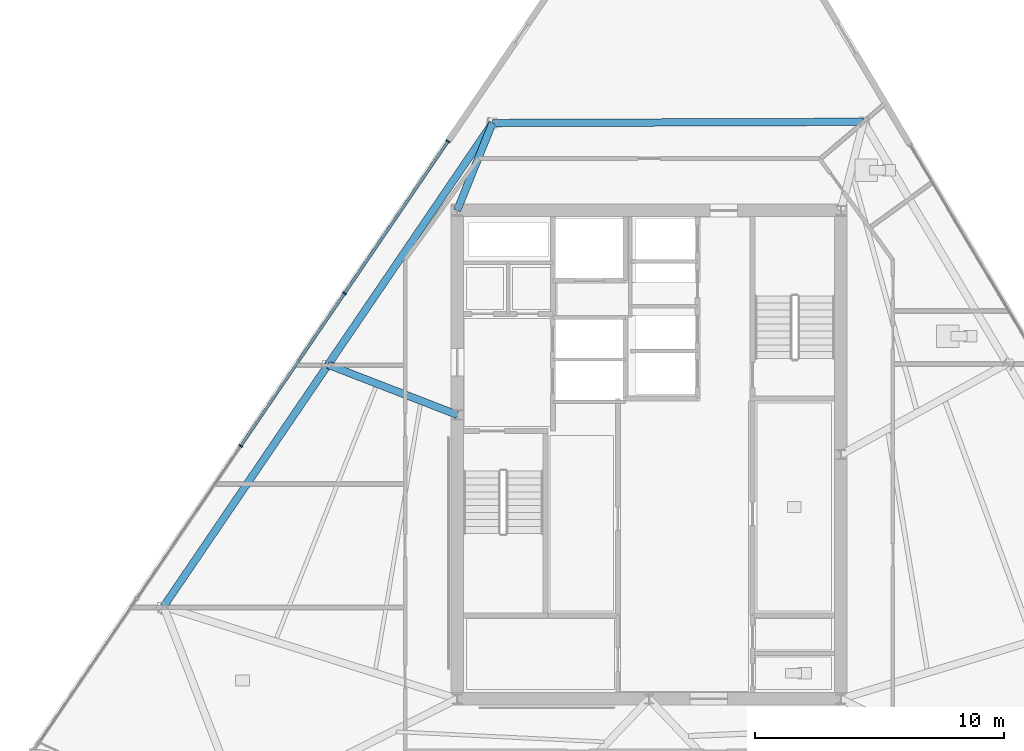
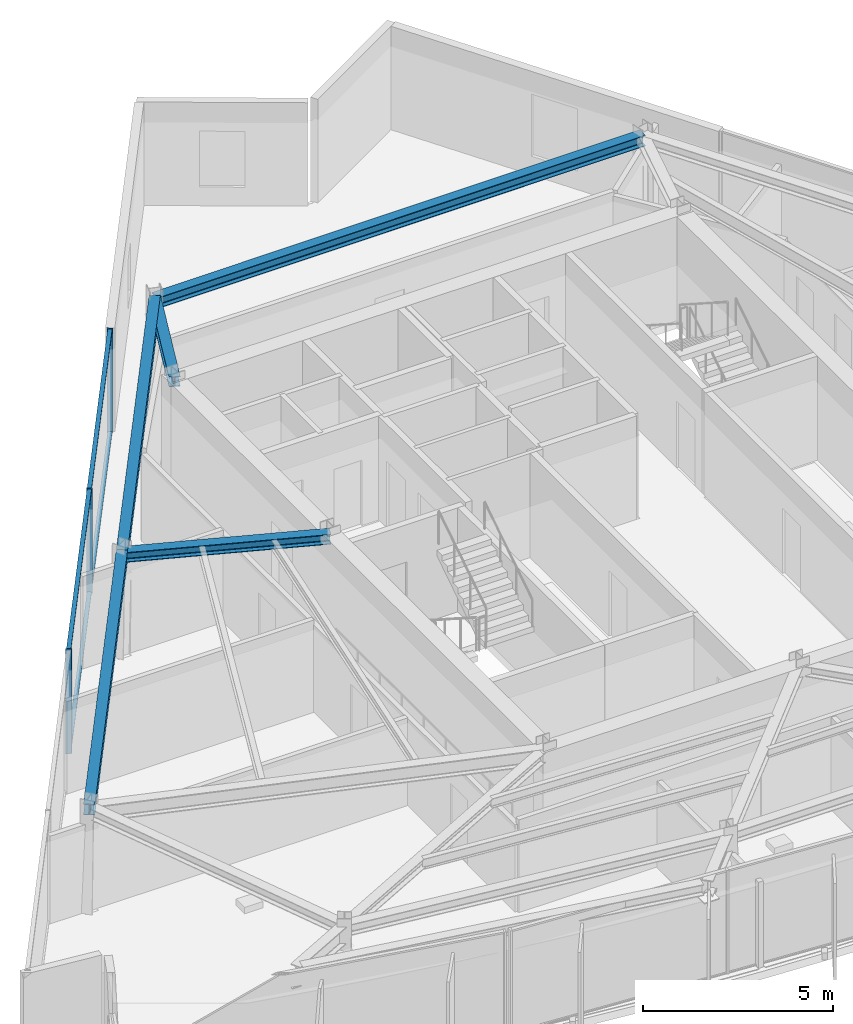
# One storey, part 4 of 13: 7 members, 5 beams, 1 element without a shape of its own.
"""IFC4 building model written with IfcOpenShell, lengths in metres."""

import ifcopenshell
import ifcopenshell.guid

model = None  # the IFC model being written
_history = None  # IfcOwnerHistory: only IFC2X3 demands one
_inside = {}  # id of a spatial element -> (the spatial element, [elements in it])
_under = {}  # id of a project, library or spatial element -> (it, [spatial elements below it])
_declared = {}  # id of a project -> (the project, [libraries it declares])
_typed = {}  # id of a type object -> (the type object, [elements of that type])
_made_of = {}  # id of a material, layer set ... -> (it, [elements and type objects made of it])


def new_model(schema):
    """Start an empty IFC model of exactly this schema.

    Asked for "IFC4X3", IfcOpenShell would pick the latest addendum, in which some entities
    have other attributes; the version numbers below select the first issue.
    IFC2X3 requires an IfcOwnerHistory on every rooted entity: one is made here for all.
    """
    global model, _history
    if schema == "IFC4X3":
        model = ifcopenshell.file(schema_version=(4, 3, 0, 0))
    else:
        model = ifcopenshell.file(schema=schema)
    _inside.clear()
    _under.clear()
    _declared.clear()
    _typed.clear()
    _made_of.clear()
    _history = None
    if model.schema == "IFC2X3":
        org = make("IfcOrganization", Name="unknown")
        user = make(
            "IfcPersonAndOrganization",
            ThePerson=make("IfcPerson", FamilyName="unknown"),
            TheOrganization=org,
        )
        app = make(
            "IfcApplication",
            ApplicationDeveloper=org,
            Version="unknown",
            ApplicationFullName="unknown",
            ApplicationIdentifier="unknown",
        )
        _history = make(
            "IfcOwnerHistory",
            OwningUser=user,
            OwningApplication=app,
            ChangeAction="ADDED",
            CreationDate=0,
        )
    return model


def make(cls, **values):
    """One entity of the class cls with the attributes given. An attribute that is None is left unset."""
    return model.create_entity(
        cls, **{name: value for name, value in values.items() if value is not None}
    )


def rooted(cls, **values):
    """An entity with a GlobalId (a new one), such as an element, a storey or a relation."""
    return make(cls, GlobalId=ifcopenshell.guid.new(), OwnerHistory=_history, **values)


def si_unit(unit_type, name, prefix=None):
    """IfcSIUnit, for example si_unit("LENGTHUNIT", "METRE", prefix="MILLI")."""
    return make("IfcSIUnit", UnitType=unit_type, Prefix=prefix, Name=name)


def assignment(units):
    """IfcUnitAssignment: the units of a project."""
    return None if units is None else make("IfcUnitAssignment", Units=units)


def point(xyz):
    """IfcCartesianPoint."""
    return None if xyz is None else make("IfcCartesianPoint", Coordinates=xyz)


def direction(xyz):
    """IfcDirection."""
    return None if xyz is None else make("IfcDirection", DirectionRatios=xyz)


def frame(location, z_axis=None, x_axis=None):
    """IfcAxis2Placement3D, a coordinate frame: its origin and axes. An axis left out is left unset."""
    return make(
        "IfcAxis2Placement3D",
        Location=point(location),
        Axis=direction(z_axis),
        RefDirection=direction(x_axis),
    )


def frame_2d(location, x_axis=None):
    """IfcAxis2Placement2D, a coordinate frame in the plane: its origin and x axis."""
    return make(
        "IfcAxis2Placement2D", Location=point(location), RefDirection=direction(x_axis)
    )


def origin():
    """The frame at (0, 0, 0) with its axes left unset."""
    return frame((0.0, 0.0, 0.0))


def origin_2d():
    """The frame at (0, 0) in the plane with its x axis left unset."""
    return frame_2d((0.0, 0.0))


def place(relative_to, where):
    """IfcLocalPlacement: puts the frame where relative to a parent placement (None: the world)."""
    return make(
        "IfcLocalPlacement", PlacementRelTo=relative_to, RelativePlacement=where
    )


def context(
    kind, dimensions, precision=None, world=None, true_north=None, identifier=None
):
    """IfcGeometricRepresentationContext, for example the 3D "Model" context."""
    return make(
        "IfcGeometricRepresentationContext",
        ContextIdentifier=identifier,
        ContextType=kind,
        CoordinateSpaceDimension=dimensions,
        Precision=precision,
        WorldCoordinateSystem=world,
        TrueNorth=true_north,
    )


def subcontext(parent, identifier, kind, view, scale=None):
    """IfcGeometricRepresentationSubContext, for example "Body" below "Model"."""
    return make(
        "IfcGeometricRepresentationSubContext",
        ContextIdentifier=identifier,
        ContextType=kind,
        ParentContext=parent,
        TargetScale=scale,
        TargetView=view,
    )


def project(units=None, contexts=None):
    """IfcProject with its units and contexts."""
    return rooted(
        "IfcProject",
        Name="project",
        RepresentationContexts=contexts,
        UnitsInContext=assignment(units),
    )


def spatial(cls, under=None, at=None, **own):
    """A site, building, storey or space (cls), placed at a placement, below another one or the project."""
    s = rooted(cls, ObjectPlacement=at, **own)
    if under is not None:
        _under.setdefault(under.id(), (under, []))[1].append(s)
    return s


def profile(cls, at=None, kind="AREA", **sizes):
    """A parametric profile (cls). Its sizes go by their IFC names, for example OverallWidth=200.0."""
    return make(cls, ProfileType=kind, Position=at, **sizes)


def rectangle(**sizes):
    """IfcRectangleProfileDef."""
    return profile("IfcRectangleProfileDef", **sizes)


def i_section(**sizes):
    """IfcIShapeProfileDef."""
    return profile("IfcIShapeProfileDef", **sizes)


def extrude(swept, where, along, depth):
    """IfcExtrudedAreaSolid: the profile swept, set in the frame where, extruded along a direction by depth."""
    return make(
        "IfcExtrudedAreaSolid",
        SweptArea=swept,
        Position=where,
        ExtrudedDirection=direction(along),
        Depth=depth,
    )


def shape(context_of_items, identifier, shape_type, items):
    """IfcShapeRepresentation: the items that make up one representation, for example the "Body"."""
    return make(
        "IfcShapeRepresentation",
        ContextOfItems=context_of_items,
        RepresentationIdentifier=identifier,
        RepresentationType=shape_type,
        Items=items,
    )


def material(Name=None, Category=None):
    """IfcMaterial."""
    return make("IfcMaterial", Name=Name, Category=Category)


def material_profile(
    of_material, cross_section, Name=None, Category=None, Priority=None
):
    """IfcMaterialProfile: a cross section and its material."""
    return make(
        "IfcMaterialProfile",
        Name=Name,
        Material=of_material,
        Profile=cross_section,
        Priority=Priority,
        Category=Category,
    )


def profile_set(profiles, Name=None, composite=None):
    """IfcMaterialProfileSet."""
    return make(
        "IfcMaterialProfileSet",
        Name=Name,
        MaterialProfiles=profiles,
        CompositeProfile=composite,
    )


def made_of(thing, what):
    """Note that an element or type object is made of a material, layer set ...; save() writes the relation."""
    if what is not None:
        _made_of.setdefault(what.id(), (what, []))[1].append(thing)
    return thing


def type_object(cls, material=None, **own):
    """A type object (cls), such as IfcWallType, which elements share."""
    return made_of(rooted(cls, **own), material)


def element(
    cls,
    number,
    at=None,
    inside=None,
    cuts=None,
    type_object=None,
    material=None,
    context=None,
    identifier="Body",
    shape_type=None,
    held_by="IfcProductDefinitionShape",
    body=None,
    shapes=None,
    **own,
):
    """One element of the class cls, such as IfcWall. Its Tag is "e" and its number.

    at: its placement. inside: the storey or other place that contains it. cuts: it is an
    opening in that element (IfcRelVoidsElement). A single representation is given by context,
    identifier, shape_type and body (its items); several are given by shapes. held_by: the class
    of the entity that holds the representations. save() writes the other relations.
    """
    e = rooted(cls, Tag="e%d" % number, ObjectPlacement=at, **own)
    if body is not None:
        shapes = [shape(context, identifier, shape_type, body)]
    if shapes is not None:
        e.Representation = make(held_by, Representations=shapes)
    if inside is not None:
        _inside.setdefault(inside.id(), (inside, []))[1].append(e)
    if cuts is not None:
        rooted(
            "IfcRelVoidsElement", RelatingBuildingElement=cuts, RelatedOpeningElement=e
        )
    if type_object is not None:
        _typed.setdefault(type_object.id(), (type_object, []))[1].append(e)
    return made_of(e, material)


def aggregate(whole, parts):
    """IfcRelAggregates: a whole, such as a stair, and the parts it consists of."""
    return rooted("IfcRelAggregates", RelatingObject=whole, RelatedObjects=parts)


def save(model, path):
    """Write the relations noted so far, then the file.

    IfcRelAggregates (storeys below a building ...), IfcRelContainedInSpatialStructure (elements
    in a storey), IfcRelDefinesByType, IfcRelAssociatesMaterial and IfcRelDeclares: one each for
    every whole, place, type object, material and project.
    """
    for whole, parts in _under.values():
        aggregate(whole, parts)
    for where, things in _inside.values():
        rooted(
            "IfcRelContainedInSpatialStructure",
            RelatedElements=things,
            RelatingStructure=where,
        )
    for kind, things in _typed.values():
        rooted("IfcRelDefinesByType", RelatedObjects=things, RelatingType=kind)
    for what, things in _made_of.values():
        rooted("IfcRelAssociatesMaterial", RelatedObjects=things, RelatingMaterial=what)
    for by, libraries in _declared.values():
        rooted("IfcRelDeclares", RelatingContext=by, RelatedDefinitions=libraries)
    model.write(path)


model = new_model("IFC4")

# Units and contexts
model_context = context("Model", 3, precision=1e-05, world=origin(), true_north=direction((0.0, 1.0)))
body_context = subcontext(model_context, "Body", "Model", "MODEL_VIEW")
ifc_project = project(units=[si_unit("LENGTHUNIT", "METRE"), si_unit("AREAUNIT", "SQUARE_METRE"), si_unit("VOLUMEUNIT", "CUBIC_METRE"), si_unit("PLANEANGLEUNIT", "RADIAN"), si_unit("MASSUNIT", "GRAM", prefix="KILO")], contexts=[model_context])

# Site, building, storey
site_placement = place(None, origin())
site = spatial("IfcSite", under=ifc_project, at=site_placement, CompositionType="ELEMENT")
building_placement = place(site_placement, origin())
building = spatial("IfcBuilding", under=site, at=building_placement, Name="Savorim Split Tower", CompositionType="ELEMENT")
storey_placement = place(building_placement, frame((0.0, 0.0, 223.5)))
storey = spatial("IfcBuildingStorey", under=building, at=storey_placement, Name="L59", CompositionType="ELEMENT", Elevation=223.5)

# Beams
ifc_material_1 = material(Name="Steel S355", Category="steel")
ifc_material_profile_1 = material_profile(ifc_material_1, i_section(OverallWidth=0.300048828125, OverallDepth=0.320068359375, WebThickness=0.011474609375, FlangeThickness=0.0205078125, FilletRadius=0.027099609375, at=origin_2d()), Name="HEB 320")
ifc_profile_set_1 = profile_set([ifc_material_profile_1], Name="Steel S355")
beam_type_1 = type_object("IfcBeamType", Name="BM-PRI-HEB320", PredefinedType="BEAM", material=ifc_profile_set_1)
beam_1_placement = place(storey_placement, frame((-6.28076171875, 13.70703125, 3.18994140625), z_axis=(-0.375114867377, -0.926978336464, 0.0), x_axis=(0.926978336464, -0.375114867377, 0.0)))
element("IfcBeam", 1, at=beam_1_placement, inside=storey, type_object=beam_type_1, Name="L59 Primary Floor Girder RG-08", PredefinedType="BEAM", context=body_context, shape_type="SweptSolid", body=[
    extrude(i_section(OverallWidth=0.300048828125, OverallDepth=0.320068359375, WebThickness=0.011474609375, FlangeThickness=0.0205078125, FilletRadius=0.027099609375, at=origin_2d()), origin(), (0.0, 0.0, 1.0), 3.783447265625),
])
beam_2_placement = place(storey_placement, frame((-12.878662109375, 4.008544921875, 3.18994140625), z_axis=(0.932332582149, -0.361601930669, 0.0), x_axis=(0.361601930669, 0.932332582149, 0.0)))
element("IfcBeam", 2, at=beam_2_placement, inside=storey, type_object=beam_type_1, Name="L59 Primary Floor Girder RG-09", PredefinedType="BEAM", context=body_context, shape_type="SweptSolid", body=[
    extrude(i_section(OverallWidth=0.300048828125, OverallDepth=0.320068359375, WebThickness=0.011474609375, FlangeThickness=0.0205078125, FilletRadius=0.027099609375, at=origin_2d()), origin(), (0.0, 0.0, 1.0), 5.5546875),
])
ifc_material_profile_2 = material_profile(ifc_material_1, i_section(OverallWidth=0.300048828125, OverallDepth=0.35009765625, WebThickness=0.010009765625, FlangeThickness=0.017578125, FilletRadius=0.027099609375, at=origin_2d()), Name="HEA 360")
ifc_profile_set_2 = profile_set([ifc_material_profile_2], Name="Steel S355")
beam_type_2 = type_object("IfcBeamType", Name="BM-SPN-HEA360", PredefinedType="SPANDREL", material=ifc_profile_set_2)
beam_3_placement = place(storey_placement, frame((8.603515625, 13.755859375, 3.175048828125), z_axis=(-0.999994619148, -0.003280499358, 0.0), x_axis=(0.003280499358, -0.999994619148, 0.0)))
element("IfcBeam", 3, at=beam_3_placement, inside=storey, type_object=beam_type_2, Name="L59 Perimeter Spandrel Beam 7", PredefinedType="SPANDREL", context=body_context, shape_type="SweptSolid", body=[
    extrude(i_section(OverallWidth=0.300048828125, OverallDepth=0.35009765625, WebThickness=0.010009765625, FlangeThickness=0.017578125, FilletRadius=0.027099609375, at=origin_2d()), origin(), (0.0, 0.0, 1.0), 14.88427734375),
])
for number, where, z_axis, x_axis, name in (
    (4, (-6.28076171875, 13.70703125, 3.175048828125), (-0.562480797301, -0.82681034867, 0.0), (0.82681034867, -0.562480797301, 0.0), "L59 Perimeter Spandrel Beam 8"),
    (5, (-12.878662109375, 4.008544921875, 3.175048828125), (-0.562456889312, -0.826826612819, 0.0), (0.826826612819, -0.562456889312, 0.0), "L59 Perimeter Spandrel Beam 9"),
):
    element("IfcBeam", number, at=place(storey_placement, frame(where, z_axis=z_axis, x_axis=x_axis)), inside=storey, type_object=beam_type_2, Name=name, PredefinedType="SPANDREL", context=body_context, shape_type="SweptSolid", body=[
        extrude(i_section(OverallWidth=0.300048828125, OverallDepth=0.35009765625, WebThickness=0.010009765625, FlangeThickness=0.017578125, FilletRadius=0.027099609375, at=origin_2d()), origin(), (0.0, 0.0, 1.0), 11.72998046875),
    ])

# Curtain wall, members
ifc_material_2 = material(Name="Dark Ceramic-Fritted Insulated Glass", Category="glass")
curtain_wall_type = type_object("IfcCurtainWallType", Name="CW-TWR-FRIT-B", PredefinedType="NOTDEFINED", material=ifc_material_2)
curtain_wall_placement = place(storey_placement, origin())
curtain_wall = element("IfcCurtainWall", 6, at=curtain_wall_placement, inside=storey, type_object=curtain_wall_type, Name="L59 Curtain Wall CW-L59-WEST", PredefinedType="NOTDEFINED")
ifc_material_3 = material(Name="Charcoal Anodised Aluminium", Category="aluminium")
ifc_material_profile_3 = material_profile(ifc_material_3, rectangle(XDim=0.159912109375, YDim=0.06005859375, at=origin_2d()), Name="ALU-M 160x60")
ifc_profile_set_3 = profile_set([ifc_material_profile_3], Name="Charcoal Anodised Aluminium")
member_type_1 = type_object("IfcMemberType", Name="CWM-160x60", PredefinedType="MULLION", material=ifc_profile_set_3)
member_1_placement = place(storey_placement, frame((-8.0673828125, 12.9736328125, 0.0), z_axis=(0.0, 0.0, 1.0), x_axis=(0.826820024782, -0.562466573779, 0.0)))
member_1 = element("IfcMember", 7, at=member_1_placement, type_object=member_type_1, Name="CW-03 mullion 1", PredefinedType="MULLION", context=body_context, shape_type="SweptSolid", body=[
    extrude(rectangle(XDim=0.159912109375, YDim=0.06005859375, at=origin_2d()), origin(), (0.0, 0.0, 1.0), 3.35009765625),
])
member_2_placement = place(storey_placement, frame((-12.216796875, 6.873779296875, 0.0), z_axis=(0.0, 0.0, 1.0), x_axis=(0.826820024782, -0.562466573779, 0.0)))
member_2 = element("IfcMember", 8, at=member_2_placement, type_object=member_type_1, Name="CW-03 mullion 2", PredefinedType="MULLION", context=body_context, shape_type="SweptSolid", body=[
    extrude(rectangle(XDim=0.159912109375, YDim=0.06005859375, at=origin_2d()), origin(), (0.0, 0.0, 1.0), 3.35009765625),
])
member_3_placement = place(storey_placement, frame((-16.38330078125, 0.7490234375, 0.0), z_axis=(0.0, 0.0, 1.0), x_axis=(0.826820024782, -0.562466573779, 0.0)))
member_3 = element("IfcMember", 9, at=member_3_placement, type_object=member_type_1, Name="CW-03 mullion 3", PredefinedType="MULLION", context=body_context, shape_type="SweptSolid", body=[
    extrude(rectangle(XDim=0.159912109375, YDim=0.06005859375, at=origin_2d()), origin(), (0.0, 0.0, 1.0), 3.35009765625),
])
ifc_material_profile_4 = material_profile(ifc_material_3, rectangle(XDim=0.1201171875, YDim=0.050048828125, at=origin_2d()), Name="ALU-T 120x50")
ifc_profile_set_4 = profile_set([ifc_material_profile_4], Name="Charcoal Anodised Aluminium")
member_type_2 = type_object("IfcMemberType", Name="CWT-120x50", PredefinedType="USERDEFINED", material=ifc_profile_set_4)
member_4_placement = place(storey_placement, frame((-8.084228515625, 12.94873046875, 0.02490234375), z_axis=(-0.562452376398, -0.826829682755, 0.0), x_axis=(0.826829682755, -0.562452376398, 0.0)))
member_4 = element("IfcMember", 10, at=member_4_placement, type_object=member_type_2, Name="CW-03 transom 1.1", ObjectType="TRANSOM", PredefinedType="USERDEFINED", context=body_context, shape_type="SweptSolid", body=[
    extrude(rectangle(XDim=0.1201171875, YDim=0.050048828125, at=origin_2d()), origin(), (0.0, 0.0, 1.0), 7.3173828125),
])
member_5_placement = place(storey_placement, frame((-8.084228515625, 12.94873046875, 3.324951171875), z_axis=(-0.562452376398, -0.826829682755, 0.0), x_axis=(0.826829682755, -0.562452376398, 0.0)))
member_5 = element("IfcMember", 11, at=member_5_placement, type_object=member_type_2, Name="CW-03 transom 1.2", ObjectType="TRANSOM", PredefinedType="USERDEFINED", context=body_context, shape_type="SweptSolid", body=[
    extrude(rectangle(XDim=0.1201171875, YDim=0.050048828125, at=origin_2d()), origin(), (0.0, 0.0, 1.0), 7.3173828125),
])
member_6_placement = place(storey_placement, frame((-12.233642578125, 6.848876953125, 0.02490234375), z_axis=(-0.562481783671, -0.82680967764, 0.0), x_axis=(0.82680967764, -0.562481783671, 0.0)))
member_6 = element("IfcMember", 12, at=member_6_placement, type_object=member_type_2, Name="CW-03 transom 2.1", ObjectType="TRANSOM", PredefinedType="USERDEFINED", context=body_context, shape_type="SweptSolid", body=[
    extrude(rectangle(XDim=0.1201171875, YDim=0.050048828125, at=origin_2d()), origin(), (0.0, 0.0, 1.0), 7.347412109375),
])
member_7_placement = place(storey_placement, frame((-12.233642578125, 6.848876953125, 3.324951171875), z_axis=(-0.562481783671, -0.82680967764, 0.0), x_axis=(0.82680967764, -0.562481783671, 0.0)))
member_7 = element("IfcMember", 13, at=member_7_placement, type_object=member_type_2, Name="CW-03 transom 2.2", ObjectType="TRANSOM", PredefinedType="USERDEFINED", context=body_context, shape_type="SweptSolid", body=[
    extrude(rectangle(XDim=0.1201171875, YDim=0.050048828125, at=origin_2d()), origin(), (0.0, 0.0, 1.0), 7.347412109375),
])
aggregate(curtain_wall, [member_1, member_2, member_3, member_4, member_5, member_6, member_7])

save(model, "model.ifc")
